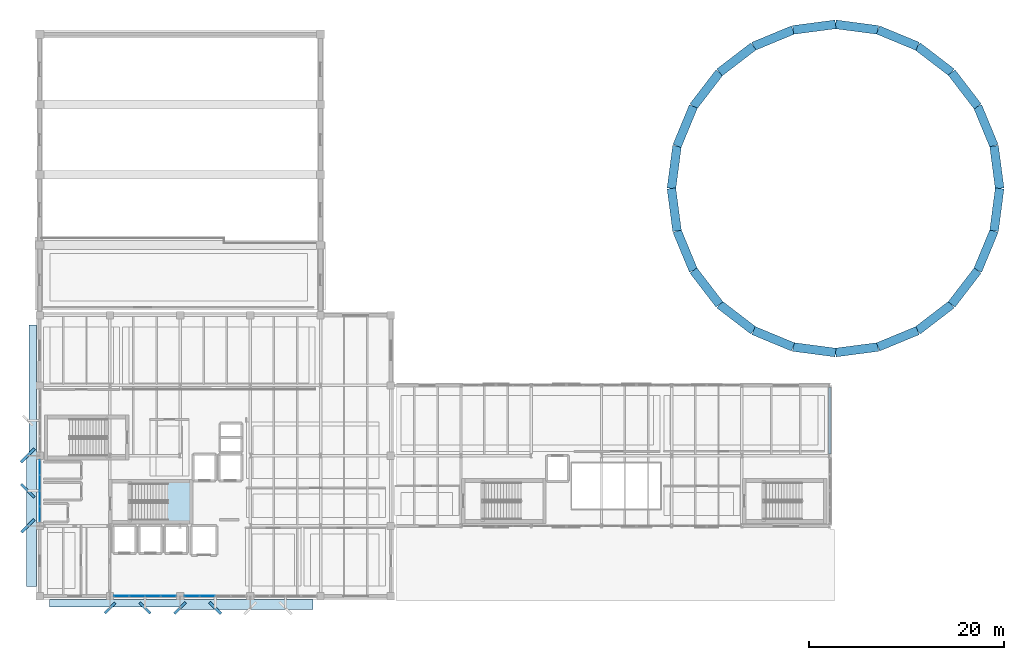
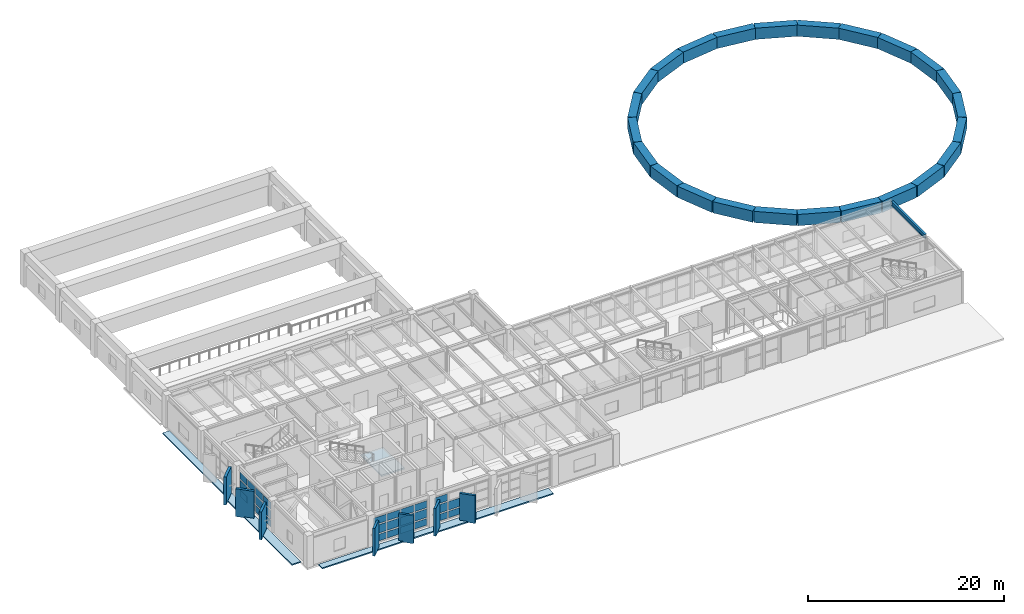
# One storey, part 22 of 37: 36 plates, 25 beams, 3 slabs, 4 elements without a shape of their own.
"""IFC4 building model written with IfcOpenShell, lengths in metres."""

from ifc_helpers import new_model, si_unit, direction, frame, origin, origin_2d, place, context, subcontext, project, spatial, polyline, rectangle, i_section, outline, extrude, material, layer, layer_set, material_profile, profile_set, type_object, element, aggregate, save


model = new_model("IFC4")

# Units and contexts
model_context = context("Model", 3, precision=1e-05, world=origin(), true_north=direction((0.0, 1.0)))
body_context = subcontext(model_context, "Body", "Model", "MODEL_VIEW")
ifc_project = project(units=[si_unit("LENGTHUNIT", "METRE"), si_unit("AREAUNIT", "SQUARE_METRE"), si_unit("VOLUMEUNIT", "CUBIC_METRE"), si_unit("PLANEANGLEUNIT", "RADIAN"), si_unit("MASSUNIT", "GRAM", prefix="KILO")], contexts=[model_context])

# Site, building, storey
site_placement = place(None, origin())
site = spatial("IfcSite", under=ifc_project, at=site_placement, CompositionType="ELEMENT")
building_placement = place(site_placement, origin())
building = spatial("IfcBuilding", under=site, at=building_placement, Name="Kandorven Conservatory and Botanical Research Centre", CompositionType="ELEMENT")
storey_placement = place(building_placement, frame((0.0, 0.0, 9.0)))
storey = spatial("IfcBuildingStorey", under=building, at=storey_placement, Name="L02", CompositionType="ELEMENT", Elevation=9.0)

# Beams
ifc_material_1 = material(Name="Steel S355 (IS 2062 E350)", Category="steel")
ifc_material_profile_1 = material_profile(ifc_material_1, i_section(OverallWidth=0.25, OverallDepth=0.5, WebThickness=0.010009765625, FlangeThickness=0.0146484375, at=origin_2d()))
ifc_profile_set_1 = profile_set([ifc_material_profile_1], Name="Steel S355 (IS 2062 E350)")
beam_type_1 = type_object("IfcBeamType", Name="Beam_FG-02", PredefinedType="USERDEFINED", material=ifc_profile_set_1)
beam_1_placement = place(storey_placement, frame((87.0, 20.590087890625, 3.7099609375), z_axis=(0.0, 1.0, 0.0), x_axis=(-1.0, 0.0, 0.0)))
element("IfcBeam", 1, at=beam_1_placement, inside=storey, type_object=beam_type_1, Name="Primary girder FG-02 VIS L02", ObjectType="GIRDER", PredefinedType="USERDEFINED", context=body_context, shape_type="SweptSolid", body=[
    extrude(i_section(OverallWidth=0.25, OverallDepth=0.5, WebThickness=0.010009765625, FlangeThickness=0.0146484375, at=origin_2d()), origin(), (0.0, 0.0, 1.0), 6.81982421875),
])
ifc_material_2 = material(Name="Concrete C40/50 (M50)", Category="concrete")
ifc_material_profile_2 = material_profile(ifc_material_2, rectangle(XDim=0.89990234375, YDim=1.39990234375, at=origin_2d()))
ifc_profile_set_2 = profile_set([ifc_material_profile_2], Name="Concrete C40/50 (M50)")
beam_type_2 = type_object("IfcBeamType", Name="Beam_RB-01", PredefinedType="SPANDREL", material=ifc_profile_set_2)
beam_2_placement = place(storey_placement, frame((104.425048828125, 47.800048828125, 1.10009765625), z_axis=(-0.130517780591, 0.991445968749, 0.0), x_axis=(-0.991445968749, -0.130517780591, 0.0)))
element("IfcBeam", 2, at=beam_2_placement, inside=storey, type_object=beam_type_2, Name="Conservatory Ring Beam RB-01 segment 01", PredefinedType="SPANDREL", context=body_context, shape_type="SweptSolid", body=[
    extrude(rectangle(XDim=0.89990234375, YDim=1.39990234375, at=origin_2d()), origin(), (0.0, 0.0, 1.0), 4.39208984375),
])
for number, where, z_axis, x_axis, name in (
    (3, (103.851806640625, 52.154541015625, 1.10009765625), (-0.382700340551, 0.92387252873, 0.0), (-0.92387252873, -0.382700340551, 0.0), "Conservatory Ring Beam RB-01 segment 02"),
    (4, (102.1708984375, 56.21240234375, 1.10009765625), (-0.608759396381, 0.793354899977, 0.0), (-0.793354899977, -0.608759396381, 0.0), "Conservatory Ring Beam RB-01 segment 03"),
    (5, (99.4970703125, 59.697021484375, 1.10009765625), (-0.793354899977, 0.608759396381, 0.0), (-0.608759396381, -0.793354899977, 0.0), "Conservatory Ring Beam RB-01 segment 04"),
    (6, (96.012451171875, 62.370849609375, 1.10009765625), (-0.92387252873, 0.382700340551, 0.0), (-0.382700340551, -0.92387252873, 0.0), "Conservatory Ring Beam RB-01 segment 05"),
):
    element("IfcBeam", number, at=place(storey_placement, frame(where, z_axis=z_axis, x_axis=x_axis)), inside=storey, type_object=beam_type_2, Name=name, PredefinedType="SPANDREL", context=body_context, shape_type="SweptSolid", body=[
        extrude(rectangle(XDim=0.89990234375, YDim=1.39990234375, at=origin_2d()), origin(), (0.0, 0.0, 1.0), 4.392333984375),
    ])
beam_3_placement = place(storey_placement, frame((91.95458984375, 64.0517578125, 1.10009765625), z_axis=(-0.991445968749, 0.130517780591, 0.0), x_axis=(-0.130517780591, -0.991445968749, 0.0)))
element("IfcBeam", 7, at=beam_3_placement, inside=storey, type_object=beam_type_2, Name="Conservatory Ring Beam RB-01 segment 06", PredefinedType="SPANDREL", context=body_context, shape_type="SweptSolid", body=[
    extrude(rectangle(XDim=0.89990234375, YDim=1.39990234375, at=origin_2d()), origin(), (0.0, 0.0, 1.0), 4.39208984375),
])
for number, where, z_axis, x_axis, name in (
    (8, (87.60009765625, 64.625, 1.10009765625), (-0.991446915586, -0.13051058798, 0.0), (0.13051058798, -0.991446915586, 0.0), "Conservatory Ring Beam RB-01 segment 07"),
    (9, (83.245361328125, 64.0517578125, 1.10009765625), (-0.92387252873, -0.382700340551, 0.0), (0.382700340551, -0.92387252873, 0.0), "Conservatory Ring Beam RB-01 segment 08"),
    (10, (79.1875, 62.370849609375, 1.10009765625), (-0.793354899977, -0.608759396381, 0.0), (0.608759396381, -0.793354899977, 0.0), "Conservatory Ring Beam RB-01 segment 09"),
    (11, (75.702880859375, 59.697021484375, 1.10009765625), (-0.608759396381, -0.793354899977, 0.0), (0.793354899977, -0.608759396381, 0.0), "Conservatory Ring Beam RB-01 segment 10"),
):
    element("IfcBeam", number, at=place(storey_placement, frame(where, z_axis=z_axis, x_axis=x_axis)), inside=storey, type_object=beam_type_2, Name=name, PredefinedType="SPANDREL", context=body_context, shape_type="SweptSolid", body=[
        extrude(rectangle(XDim=0.89990234375, YDim=1.39990234375, at=origin_2d()), origin(), (0.0, 0.0, 1.0), 4.392333984375),
    ])
for number, where, z_axis, x_axis, name in (
    (12, (73.029052734375, 56.21240234375, 1.10009765625), (-0.382652895287, -0.923892180792, 0.0), (0.923892180792, -0.382652895287, 0.0), "Conservatory Ring Beam RB-01 segment 11"),
    (13, (71.348388671875, 52.154541015625, 1.10009765625), (-0.130572419871, -0.991438774292, 0.0), (0.991438774292, -0.130572419871, 0.0), "Conservatory Ring Beam RB-01 segment 12"),
):
    element("IfcBeam", number, at=place(storey_placement, frame(where, z_axis=z_axis, x_axis=x_axis)), inside=storey, type_object=beam_type_2, Name=name, PredefinedType="SPANDREL", context=body_context, shape_type="SweptSolid", body=[
        extrude(rectangle(XDim=0.89990234375, YDim=1.39990234375, at=origin_2d()), origin(), (0.0, 0.0, 1.0), 4.39208984375),
    ])
beam_4_placement = place(storey_placement, frame((70.77490234375, 47.800048828125, 1.10009765625), z_axis=(0.130565224353, -0.991439721914, 0.0), x_axis=(0.991439721914, 0.130565224353, 0.0)))
element("IfcBeam", 14, at=beam_4_placement, inside=storey, type_object=beam_type_2, Name="Conservatory Ring Beam RB-01 segment 13", PredefinedType="SPANDREL", context=body_context, shape_type="SweptSolid", body=[
    extrude(rectangle(XDim=0.89990234375, YDim=1.39990234375, at=origin_2d()), origin(), (0.0, 0.0, 1.0), 4.392333984375),
])
beam_5_placement = place(storey_placement, frame((71.348388671875, 43.4453125, 1.10009765625), z_axis=(0.382652895287, -0.923892180792, 0.0), x_axis=(0.923892180792, 0.382652895287, 0.0)))
element("IfcBeam", 15, at=beam_5_placement, inside=storey, type_object=beam_type_2, Name="Conservatory Ring Beam RB-01 segment 14", PredefinedType="SPANDREL", context=body_context, shape_type="SweptSolid", body=[
    extrude(rectangle(XDim=0.89990234375, YDim=1.39990234375, at=origin_2d()), origin(), (0.0, 0.0, 1.0), 4.39208984375),
])
for number, where, z_axis, x_axis, name in (
    (16, (73.029052734375, 39.387451171875, 1.10009765625), (0.608759396381, -0.793354899977, 0.0), (0.793354899977, 0.608759396381, 0.0), "Conservatory Ring Beam RB-01 segment 15"),
    (17, (75.702880859375, 35.90283203125, 1.10009765625), (0.793354899977, -0.608759396381, 0.0), (0.608759396381, 0.793354899977, 0.0), "Conservatory Ring Beam RB-01 segment 16"),
):
    element("IfcBeam", number, at=place(storey_placement, frame(where, z_axis=z_axis, x_axis=x_axis)), inside=storey, type_object=beam_type_2, Name=name, PredefinedType="SPANDREL", context=body_context, shape_type="SweptSolid", body=[
        extrude(rectangle(XDim=0.89990234375, YDim=1.39990234375, at=origin_2d()), origin(), (0.0, 0.0, 1.0), 4.392333984375),
    ])
beam_6_placement = place(storey_placement, frame((79.1875, 33.22900390625, 1.10009765625), z_axis=(0.923892180792, -0.382652895287, 0.0), x_axis=(0.382652895287, 0.923892180792, 0.0)))
element("IfcBeam", 18, at=beam_6_placement, inside=storey, type_object=beam_type_2, Name="Conservatory Ring Beam RB-01 segment 17", PredefinedType="SPANDREL", context=body_context, shape_type="SweptSolid", body=[
    extrude(rectangle(XDim=0.89990234375, YDim=1.39990234375, at=origin_2d()), origin(), (0.0, 0.0, 1.0), 4.39208984375),
])
beam_7_placement = place(storey_placement, frame((83.245361328125, 31.54833984375, 1.10009765625), z_axis=(0.991446915586, -0.13051058798, 0.0), x_axis=(0.13051058798, 0.991446915586, 0.0)))
element("IfcBeam", 19, at=beam_7_placement, inside=storey, type_object=beam_type_2, Name="Conservatory Ring Beam RB-01 segment 18", PredefinedType="SPANDREL", context=body_context, shape_type="SweptSolid", body=[
    extrude(rectangle(XDim=0.89990234375, YDim=1.39990234375, at=origin_2d()), origin(), (0.0, 0.0, 1.0), 4.392333984375),
])
for number, where, z_axis, x_axis, name in (
    (20, (87.60009765625, 30.97509765625, 1.10009765625), (0.991445968749, 0.130517780591, 0.0), (-0.130517780591, 0.991445968749, 0.0), "Conservatory Ring Beam RB-01 segment 19"),
    (21, (91.95458984375, 31.54833984375, 1.10009765625), (0.923892180792, 0.382652895287, 0.0), (-0.382652895287, 0.923892180792, 0.0), "Conservatory Ring Beam RB-01 segment 20"),
):
    element("IfcBeam", number, at=place(storey_placement, frame(where, z_axis=z_axis, x_axis=x_axis)), inside=storey, type_object=beam_type_2, Name=name, PredefinedType="SPANDREL", context=body_context, shape_type="SweptSolid", body=[
        extrude(rectangle(XDim=0.89990234375, YDim=1.39990234375, at=origin_2d()), origin(), (0.0, 0.0, 1.0), 4.39208984375),
    ])
for number, where, z_axis, x_axis, name in (
    (22, (96.012451171875, 33.22900390625, 1.10009765625), (0.793354899977, 0.608759396381, 0.0), (-0.608759396381, 0.793354899977, 0.0), "Conservatory Ring Beam RB-01 segment 21"),
    (23, (99.4970703125, 35.90283203125, 1.10009765625), (0.608759396381, 0.793354899977, 0.0), (-0.793354899977, 0.608759396381, 0.0), "Conservatory Ring Beam RB-01 segment 22"),
    (24, (102.1708984375, 39.387451171875, 1.10009765625), (0.382700340551, 0.92387252873, 0.0), (-0.92387252873, 0.382700340551, 0.0), "Conservatory Ring Beam RB-01 segment 23"),
    (25, (103.851806640625, 43.4453125, 1.10009765625), (0.13051058798, 0.991446915586, 0.0), (-0.991446915586, 0.13051058798, 0.0), "Conservatory Ring Beam RB-01 segment 24"),
):
    element("IfcBeam", number, at=place(storey_placement, frame(where, z_axis=z_axis, x_axis=x_axis)), inside=storey, type_object=beam_type_2, Name=name, PredefinedType="SPANDREL", context=body_context, shape_type="SweptSolid", body=[
        extrude(rectangle(XDim=0.89990234375, YDim=1.39990234375, at=origin_2d()), origin(), (0.0, 0.0, 1.0), 4.392333984375),
    ])

# Curtain wall, plates
ifc_material_3 = material(Name="Bronze anodised thermally broken aluminium", Category="aluminium")
ifc_layer_1 = layer(ifc_material_3, 0.179931640625)
ifc_layer_set_1 = layer_set([ifc_layer_1], Name="Bronze anodised thermally broken aluminium")
curtain_wall_type = type_object("IfcCurtainWallType", Name="CW_Unitised", PredefinedType="USERDEFINED", material=ifc_layer_set_1)
curtain_wall_1_placement = place(storey_placement, origin())
curtain_wall_1 = element("IfcCurtainWall", 26, at=curtain_wall_1_placement, inside=storey, type_object=curtain_wall_type, Name="Tower laboratory curtain wall CW-TWR-S-L02-2", ObjectType="UNITISED GLAZING", PredefinedType="USERDEFINED")
ifc_material_4 = material(Name="Double-glazed solar-control low-E glass", Category="glass")
ifc_layer_2 = layer(ifc_material_4, 0.028076171875)
ifc_layer_set_2 = layer_set([ifc_layer_2], Name="Double-glazed solar-control low-E glass")
plate_type_1 = type_object("IfcPlateType", Name="CW_Panel", PredefinedType="CURTAIN_PANEL", material=ifc_layer_set_2)
plate_1_placement = place(storey_placement, frame((14.4013671875, 6.0, 0.14990234375), z_axis=(0.0, 0.0, 1.0), x_axis=(1.0, 0.0, 0.0)))
plate_1 = element("IfcPlate", 27, at=plate_1_placement, type_object=plate_type_1, Name="CW-01 panel 1.1", PredefinedType="CURTAIN_PANEL", context=body_context, shape_type="SweptSolid", body=[
    extrude(rectangle(XDim=1.492431640625, YDim=0.028076171875, at=origin_2d()), origin(), (0.0, 0.0, 1.0), 0.824951171875),
])
plate_2_placement = place(storey_placement, frame((14.4013671875, 6.0, 1.125), z_axis=(0.0, 0.0, 1.0), x_axis=(1.0, 0.0, 0.0)))
plate_2 = element("IfcPlate", 28, at=plate_2_placement, type_object=plate_type_1, Name="CW-01 panel 1.2", PredefinedType="CURTAIN_PANEL", context=body_context, shape_type="SweptSolid", body=[
    extrude(rectangle(XDim=1.492431640625, YDim=0.028076171875, at=origin_2d()), origin(), (0.0, 0.0, 1.0), 1.050048828125),
])
plate_3_placement = place(storey_placement, frame((14.4013671875, 6.0, 2.3251953125), z_axis=(0.0, 0.0, 1.0), x_axis=(1.0, 0.0, 0.0)))
plate_3 = element("IfcPlate", 29, at=plate_3_placement, type_object=plate_type_1, Name="CW-01 panel 1.3", PredefinedType="CURTAIN_PANEL", context=body_context, shape_type="SweptSolid", body=[
    extrude(rectangle(XDim=1.492431640625, YDim=0.028076171875, at=origin_2d()), origin(), (0.0, 0.0, 1.0), 0.864990234375),
])
plate_4_placement = place(storey_placement, frame((15.99365234375, 6.0, 0.14990234375), z_axis=(0.0, 0.0, 1.0), x_axis=(1.0, 0.0, 0.0)))
plate_4 = element("IfcPlate", 30, at=plate_4_placement, type_object=plate_type_1, Name="CW-01 panel 2.1", PredefinedType="CURTAIN_PANEL", context=body_context, shape_type="SweptSolid", body=[
    extrude(rectangle(XDim=1.532470703125, YDim=0.028076171875, at=origin_2d()), origin(), (0.0, 0.0, 1.0), 0.824951171875),
])
plate_5_placement = place(storey_placement, frame((15.99365234375, 6.0, 1.125), z_axis=(0.0, 0.0, 1.0), x_axis=(1.0, 0.0, 0.0)))
plate_5 = element("IfcPlate", 31, at=plate_5_placement, type_object=plate_type_1, Name="CW-01 panel 2.2", PredefinedType="CURTAIN_PANEL", context=body_context, shape_type="SweptSolid", body=[
    extrude(rectangle(XDim=1.532470703125, YDim=0.028076171875, at=origin_2d()), origin(), (0.0, 0.0, 1.0), 1.050048828125),
])
plate_6_placement = place(storey_placement, frame((15.99365234375, 6.0, 2.3251953125), z_axis=(0.0, 0.0, 1.0), x_axis=(1.0, 0.0, 0.0)))
plate_6 = element("IfcPlate", 32, at=plate_6_placement, type_object=plate_type_1, Name="CW-01 panel 2.3", PredefinedType="CURTAIN_PANEL", context=body_context, shape_type="SweptSolid", body=[
    extrude(rectangle(XDim=1.532470703125, YDim=0.028076171875, at=origin_2d()), origin(), (0.0, 0.0, 1.0), 0.864990234375),
])
plate_7_placement = place(storey_placement, frame((17.606201171875, 6.0, 0.14990234375), z_axis=(0.0, 0.0, 1.0), x_axis=(1.0, 0.0, 0.0)))
plate_7 = element("IfcPlate", 33, at=plate_7_placement, type_object=plate_type_1, Name="CW-01 panel 3.1", PredefinedType="CURTAIN_PANEL", context=body_context, shape_type="SweptSolid", body=[
    extrude(rectangle(XDim=1.532470703125, YDim=0.028076171875, at=origin_2d()), origin(), (0.0, 0.0, 1.0), 0.824951171875),
])
plate_8_placement = place(storey_placement, frame((17.606201171875, 6.0, 1.125), z_axis=(0.0, 0.0, 1.0), x_axis=(1.0, 0.0, 0.0)))
plate_8 = element("IfcPlate", 34, at=plate_8_placement, type_object=plate_type_1, Name="CW-01 panel 3.2", PredefinedType="CURTAIN_PANEL", context=body_context, shape_type="SweptSolid", body=[
    extrude(rectangle(XDim=1.532470703125, YDim=0.028076171875, at=origin_2d()), origin(), (0.0, 0.0, 1.0), 1.050048828125),
])
plate_9_placement = place(storey_placement, frame((17.606201171875, 6.0, 2.3251953125), z_axis=(0.0, 0.0, 1.0), x_axis=(1.0, 0.0, 0.0)))
plate_9 = element("IfcPlate", 35, at=plate_9_placement, type_object=plate_type_1, Name="CW-01 panel 3.3", PredefinedType="CURTAIN_PANEL", context=body_context, shape_type="SweptSolid", body=[
    extrude(rectangle(XDim=1.532470703125, YDim=0.028076171875, at=origin_2d()), origin(), (0.0, 0.0, 1.0), 0.864990234375),
])
plate_10_placement = place(storey_placement, frame((19.19873046875, 6.0, 0.14990234375), z_axis=(0.0, 0.0, 1.0), x_axis=(1.0, 0.0, 0.0)))
plate_10 = element("IfcPlate", 36, at=plate_10_placement, type_object=plate_type_1, Name="CW-01 panel 4.1", PredefinedType="CURTAIN_PANEL", context=body_context, shape_type="SweptSolid", body=[
    extrude(rectangle(XDim=1.492431640625, YDim=0.028076171875, at=origin_2d()), origin(), (0.0, 0.0, 1.0), 0.824951171875),
])
plate_11_placement = place(storey_placement, frame((19.19873046875, 6.0, 1.125), z_axis=(0.0, 0.0, 1.0), x_axis=(1.0, 0.0, 0.0)))
plate_11 = element("IfcPlate", 37, at=plate_11_placement, type_object=plate_type_1, Name="CW-01 panel 4.2", PredefinedType="CURTAIN_PANEL", context=body_context, shape_type="SweptSolid", body=[
    extrude(rectangle(XDim=1.492431640625, YDim=0.028076171875, at=origin_2d()), origin(), (0.0, 0.0, 1.0), 1.050048828125),
])
plate_12_placement = place(storey_placement, frame((19.19873046875, 6.0, 2.3251953125), z_axis=(0.0, 0.0, 1.0), x_axis=(1.0, 0.0, 0.0)))
plate_12 = element("IfcPlate", 38, at=plate_12_placement, type_object=plate_type_1, Name="CW-01 panel 4.3", PredefinedType="CURTAIN_PANEL", context=body_context, shape_type="SweptSolid", body=[
    extrude(rectangle(XDim=1.492431640625, YDim=0.028076171875, at=origin_2d()), origin(), (0.0, 0.0, 1.0), 0.864990234375),
])
aggregate(curtain_wall_1, [plate_1, plate_2, plate_3, plate_4, plate_5, plate_6, plate_7, plate_8, plate_9, plate_10, plate_11, plate_12])

curtain_wall_2_placement = place(storey_placement, origin())
curtain_wall_2 = element("IfcCurtainWall", 39, at=curtain_wall_2_placement, inside=storey, type_object=curtain_wall_type, Name="Tower laboratory curtain wall CW-TWR-S-L02-3", ObjectType="UNITISED GLAZING", PredefinedType="USERDEFINED")
plate_13_placement = place(storey_placement, frame((21.601318359375, 6.0, 0.14990234375), z_axis=(0.0, 0.0, 1.0), x_axis=(1.0, 0.0, 0.0)))
plate_13 = element("IfcPlate", 40, at=plate_13_placement, type_object=plate_type_1, Name="CW-01 panel 1.1", PredefinedType="CURTAIN_PANEL", context=body_context, shape_type="SweptSolid", body=[
    extrude(rectangle(XDim=1.492431640625, YDim=0.028076171875, at=origin_2d()), origin(), (0.0, 0.0, 1.0), 0.824951171875),
])
plate_14_placement = place(storey_placement, frame((21.601318359375, 6.0, 1.125), z_axis=(0.0, 0.0, 1.0), x_axis=(1.0, 0.0, 0.0)))
plate_14 = element("IfcPlate", 41, at=plate_14_placement, type_object=plate_type_1, Name="CW-01 panel 1.2", PredefinedType="CURTAIN_PANEL", context=body_context, shape_type="SweptSolid", body=[
    extrude(rectangle(XDim=1.492431640625, YDim=0.028076171875, at=origin_2d()), origin(), (0.0, 0.0, 1.0), 1.050048828125),
])
plate_15_placement = place(storey_placement, frame((21.601318359375, 6.0, 2.3251953125), z_axis=(0.0, 0.0, 1.0), x_axis=(1.0, 0.0, 0.0)))
plate_15 = element("IfcPlate", 42, at=plate_15_placement, type_object=plate_type_1, Name="CW-01 panel 1.3", PredefinedType="CURTAIN_PANEL", context=body_context, shape_type="SweptSolid", body=[
    extrude(rectangle(XDim=1.492431640625, YDim=0.028076171875, at=origin_2d()), origin(), (0.0, 0.0, 1.0), 0.864990234375),
])
plate_16_placement = place(storey_placement, frame((23.19384765625, 6.0, 0.14990234375), z_axis=(0.0, 0.0, 1.0), x_axis=(1.0, 0.0, 0.0)))
plate_16 = element("IfcPlate", 43, at=plate_16_placement, type_object=plate_type_1, Name="CW-01 panel 2.1", PredefinedType="CURTAIN_PANEL", context=body_context, shape_type="SweptSolid", body=[
    extrude(rectangle(XDim=1.532470703125, YDim=0.028076171875, at=origin_2d()), origin(), (0.0, 0.0, 1.0), 0.824951171875),
])
plate_17_placement = place(storey_placement, frame((23.19384765625, 6.0, 1.125), z_axis=(0.0, 0.0, 1.0), x_axis=(1.0, 0.0, 0.0)))
plate_17 = element("IfcPlate", 44, at=plate_17_placement, type_object=plate_type_1, Name="CW-01 panel 2.2", PredefinedType="CURTAIN_PANEL", context=body_context, shape_type="SweptSolid", body=[
    extrude(rectangle(XDim=1.532470703125, YDim=0.028076171875, at=origin_2d()), origin(), (0.0, 0.0, 1.0), 1.050048828125),
])
aggregate(curtain_wall_2, [plate_13, plate_14, plate_15, plate_16, plate_17])

curtain_wall_3_placement = place(storey_placement, origin())
curtain_wall_3 = element("IfcCurtainWall", 45, at=curtain_wall_3_placement, inside=storey, type_object=curtain_wall_type, Name="Tower laboratory curtain wall CW-TWR-W-L02-2", ObjectType="UNITISED GLAZING", PredefinedType="USERDEFINED")
plate_18_placement = place(storey_placement, frame((6.0, 14.4013671875, 0.14990234375), z_axis=(0.0, 0.0, 1.0), x_axis=(0.0, 1.0, 0.0)))
plate_18 = element("IfcPlate", 46, at=plate_18_placement, type_object=plate_type_1, Name="CW-01 panel 1.1", PredefinedType="CURTAIN_PANEL", context=body_context, shape_type="SweptSolid", body=[
    extrude(rectangle(XDim=1.492431640625, YDim=0.028076171875, at=origin_2d()), origin(), (0.0, 0.0, 1.0), 0.824951171875),
])
plate_19_placement = place(storey_placement, frame((6.0, 14.4013671875, 1.125), z_axis=(0.0, 0.0, 1.0), x_axis=(0.0, 1.0, 0.0)))
plate_19 = element("IfcPlate", 47, at=plate_19_placement, type_object=plate_type_1, Name="CW-01 panel 1.2", PredefinedType="CURTAIN_PANEL", context=body_context, shape_type="SweptSolid", body=[
    extrude(rectangle(XDim=1.492431640625, YDim=0.028076171875, at=origin_2d()), origin(), (0.0, 0.0, 1.0), 1.050048828125),
])
plate_20_placement = place(storey_placement, frame((6.0, 14.4013671875, 2.3251953125), z_axis=(0.0, 0.0, 1.0), x_axis=(0.0, 1.0, 0.0)))
plate_20 = element("IfcPlate", 48, at=plate_20_placement, type_object=plate_type_1, Name="CW-01 panel 1.3", PredefinedType="CURTAIN_PANEL", context=body_context, shape_type="SweptSolid", body=[
    extrude(rectangle(XDim=1.492431640625, YDim=0.028076171875, at=origin_2d()), origin(), (0.0, 0.0, 1.0), 0.864990234375),
])
plate_21_placement = place(storey_placement, frame((6.0, 15.99365234375, 0.14990234375), z_axis=(0.0, 0.0, 1.0), x_axis=(0.0, 1.0, 0.0)))
plate_21 = element("IfcPlate", 49, at=plate_21_placement, type_object=plate_type_1, Name="CW-01 panel 2.1", PredefinedType="CURTAIN_PANEL", context=body_context, shape_type="SweptSolid", body=[
    extrude(rectangle(XDim=1.532470703125, YDim=0.028076171875, at=origin_2d()), origin(), (0.0, 0.0, 1.0), 0.824951171875),
])
plate_22_placement = place(storey_placement, frame((6.0, 15.99365234375, 1.125), z_axis=(0.0, 0.0, 1.0), x_axis=(0.0, 1.0, 0.0)))
plate_22 = element("IfcPlate", 50, at=plate_22_placement, type_object=plate_type_1, Name="CW-01 panel 2.2", PredefinedType="CURTAIN_PANEL", context=body_context, shape_type="SweptSolid", body=[
    extrude(rectangle(XDim=1.532470703125, YDim=0.028076171875, at=origin_2d()), origin(), (0.0, 0.0, 1.0), 1.050048828125),
])
plate_23_placement = place(storey_placement, frame((6.0, 15.99365234375, 2.3251953125), z_axis=(0.0, 0.0, 1.0), x_axis=(0.0, 1.0, 0.0)))
plate_23 = element("IfcPlate", 51, at=plate_23_placement, type_object=plate_type_1, Name="CW-01 panel 2.3", PredefinedType="CURTAIN_PANEL", context=body_context, shape_type="SweptSolid", body=[
    extrude(rectangle(XDim=1.532470703125, YDim=0.028076171875, at=origin_2d()), origin(), (0.0, 0.0, 1.0), 0.864990234375),
])
plate_24_placement = place(storey_placement, frame((6.0, 17.606201171875, 0.14990234375), z_axis=(0.0, 0.0, 1.0), x_axis=(0.0, 1.0, 0.0)))
plate_24 = element("IfcPlate", 52, at=plate_24_placement, type_object=plate_type_1, Name="CW-01 panel 3.1", PredefinedType="CURTAIN_PANEL", context=body_context, shape_type="SweptSolid", body=[
    extrude(rectangle(XDim=1.532470703125, YDim=0.028076171875, at=origin_2d()), origin(), (0.0, 0.0, 1.0), 0.824951171875),
])
plate_25_placement = place(storey_placement, frame((6.0, 17.606201171875, 1.125), z_axis=(0.0, 0.0, 1.0), x_axis=(0.0, 1.0, 0.0)))
plate_25 = element("IfcPlate", 53, at=plate_25_placement, type_object=plate_type_1, Name="CW-01 panel 3.2", PredefinedType="CURTAIN_PANEL", context=body_context, shape_type="SweptSolid", body=[
    extrude(rectangle(XDim=1.532470703125, YDim=0.028076171875, at=origin_2d()), origin(), (0.0, 0.0, 1.0), 1.050048828125),
])
plate_26_placement = place(storey_placement, frame((6.0, 17.606201171875, 2.3251953125), z_axis=(0.0, 0.0, 1.0), x_axis=(0.0, 1.0, 0.0)))
plate_26 = element("IfcPlate", 54, at=plate_26_placement, type_object=plate_type_1, Name="CW-01 panel 3.3", PredefinedType="CURTAIN_PANEL", context=body_context, shape_type="SweptSolid", body=[
    extrude(rectangle(XDim=1.532470703125, YDim=0.028076171875, at=origin_2d()), origin(), (0.0, 0.0, 1.0), 0.864990234375),
])
plate_27_placement = place(storey_placement, frame((6.0, 19.19873046875, 0.14990234375), z_axis=(0.0, 0.0, 1.0), x_axis=(0.0, 1.0, 0.0)))
plate_27 = element("IfcPlate", 55, at=plate_27_placement, type_object=plate_type_1, Name="CW-01 panel 4.1", PredefinedType="CURTAIN_PANEL", context=body_context, shape_type="SweptSolid", body=[
    extrude(rectangle(XDim=1.492431640625, YDim=0.028076171875, at=origin_2d()), origin(), (0.0, 0.0, 1.0), 0.824951171875),
])
plate_28_placement = place(storey_placement, frame((6.0, 19.19873046875, 1.125), z_axis=(0.0, 0.0, 1.0), x_axis=(0.0, 1.0, 0.0)))
plate_28 = element("IfcPlate", 56, at=plate_28_placement, type_object=plate_type_1, Name="CW-01 panel 4.2", PredefinedType="CURTAIN_PANEL", context=body_context, shape_type="SweptSolid", body=[
    extrude(rectangle(XDim=1.492431640625, YDim=0.028076171875, at=origin_2d()), origin(), (0.0, 0.0, 1.0), 1.050048828125),
])
plate_29_placement = place(storey_placement, frame((6.0, 19.19873046875, 2.3251953125), z_axis=(0.0, 0.0, 1.0), x_axis=(0.0, 1.0, 0.0)))
plate_29 = element("IfcPlate", 57, at=plate_29_placement, type_object=plate_type_1, Name="CW-01 panel 4.3", PredefinedType="CURTAIN_PANEL", context=body_context, shape_type="SweptSolid", body=[
    extrude(rectangle(XDim=1.492431640625, YDim=0.028076171875, at=origin_2d()), origin(), (0.0, 0.0, 1.0), 0.864990234375),
])
aggregate(curtain_wall_3, [plate_18, plate_19, plate_20, plate_21, plate_22, plate_23, plate_24, plate_25, plate_26, plate_27, plate_28, plate_29])

# Plates
ifc_material_5 = material(Name="Precast concrete C40/50 (M50)", Category="concrete")
ifc_layer_3 = layer(ifc_material_5, 0.248046875)
ifc_layer_set_3 = layer_set([ifc_layer_3], Name="Precast concrete C40/50 (M50)")
plate_type_2 = type_object("IfcPlateType", Name="Fin_BF-12", PredefinedType="USERDEFINED", material=ifc_layer_set_3)
plate_30_placement = place(storey_placement, frame((13.199951171875, 4.780029296875, -0.119873046875), z_axis=(0.0, 0.0, 1.0), x_axis=(0.707106781187, 0.707106781187, 0.0)))
element("IfcPlate", 58, at=plate_30_placement, inside=storey, type_object=plate_type_2, Name="Sculpted board-marked concrete brise-soleil fin BF-12", ObjectType="SOLAR FIN", PredefinedType="USERDEFINED", context=body_context, shape_type="SweptSolid", body=[
    extrude(rectangle(XDim=1.489990234375, YDim=0.248046875, at=origin_2d()), origin(), (0.0, 0.0, 1.0), 3.4599609375),
])
ifc_material_6 = material(Name="Precast concrete C40/50 (M50)", Category="concrete")
ifc_layer_4 = layer(ifc_material_6, 0.251953125)
ifc_layer_set_4 = layer_set([ifc_layer_4], Name="Precast concrete C40/50 (M50)")
plate_type_3 = type_object("IfcPlateType", Name="Fin_BF-13", PredefinedType="USERDEFINED", material=ifc_layer_set_4)
plate_31_placement = place(storey_placement, frame((16.800048828125, 4.780029296875, -0.119873046875), z_axis=(0.0, 0.0, 1.0), x_axis=(-0.707106781187, 0.707106781187, 0.0)))
element("IfcPlate", 59, at=plate_31_placement, inside=storey, type_object=plate_type_3, Name="Sculpted board-marked concrete brise-soleil fin BF-13", ObjectType="SOLAR FIN", PredefinedType="USERDEFINED", context=body_context, shape_type="SweptSolid", body=[
    extrude(rectangle(XDim=1.550048828125, YDim=0.251953125, at=origin_2d()), origin(), (0.0, 0.0, 1.0), 3.4599609375),
])
ifc_material_7 = material(Name="Precast concrete C40/50 (M50)", Category="concrete")
ifc_layer_5 = layer(ifc_material_7, 0.256103515625)
ifc_layer_set_5 = layer_set([ifc_layer_5], Name="Precast concrete C40/50 (M50)")
plate_type_4 = type_object("IfcPlateType", Name="Fin_BF-14", PredefinedType="USERDEFINED", material=ifc_layer_set_5)
plate_32_placement = place(storey_placement, frame((20.39990234375, 4.780029296875, -0.119873046875), z_axis=(0.0, 0.0, 1.0), x_axis=(0.707106781187, 0.707106781187, 0.0)))
element("IfcPlate", 60, at=plate_32_placement, inside=storey, type_object=plate_type_4, Name="Sculpted board-marked concrete brise-soleil fin BF-14", ObjectType="SOLAR FIN", PredefinedType="USERDEFINED", context=body_context, shape_type="SweptSolid", body=[
    extrude(rectangle(XDim=1.610107421875, YDim=0.256103515625, at=origin_2d()), origin(), (0.0, 0.0, 1.0), 3.4599609375),
])
ifc_material_8 = material(Name="Precast concrete C40/50 (M50)", Category="concrete")
ifc_layer_6 = layer(ifc_material_8, 0.261962890625)
ifc_layer_set_6 = layer_set([ifc_layer_6], Name="Precast concrete C40/50 (M50)")
plate_type_5 = type_object("IfcPlateType", Name="Fin_BF-15", PredefinedType="USERDEFINED", material=ifc_layer_set_6)
plate_33_placement = place(storey_placement, frame((24.0, 4.780029296875, -0.119873046875), z_axis=(0.0, 0.0, 1.0), x_axis=(-0.707106781187, 0.707106781187, 0.0)))
element("IfcPlate", 61, at=plate_33_placement, inside=storey, type_object=plate_type_5, Name="Sculpted board-marked concrete brise-soleil fin BF-15", ObjectType="SOLAR FIN", PredefinedType="USERDEFINED", context=body_context, shape_type="SweptSolid", body=[
    extrude(rectangle(XDim=1.669921875, YDim=0.261962890625, at=origin_2d()), origin(), (0.0, 0.0, 1.0), 3.4599609375),
])
ifc_material_9 = material(Name="Precast concrete C40/50 (M50)", Category="concrete")
ifc_layer_7 = layer(ifc_material_9, 0.27587890625)
ifc_layer_set_7 = layer_set([ifc_layer_7], Name="Precast concrete C40/50 (M50)")
plate_type_6 = type_object("IfcPlateType", Name="Fin_BF-18", PredefinedType="USERDEFINED", material=ifc_layer_set_7)
plate_34_placement = place(storey_placement, frame((4.780029296875, 13.199951171875, -0.119873046875), z_axis=(0.0, 0.0, 1.0), x_axis=(0.707106781187, 0.707106781187, 0.0)))
element("IfcPlate", 62, at=plate_34_placement, inside=storey, type_object=plate_type_6, Name="Sculpted board-marked concrete brise-soleil fin BF-18", ObjectType="SOLAR FIN", PredefinedType="USERDEFINED", context=body_context, shape_type="SweptSolid", body=[
    extrude(rectangle(XDim=1.85009765625, YDim=0.27587890625, at=origin_2d()), origin(), (0.0, 0.0, 1.0), 3.4599609375),
])
ifc_material_10 = material(Name="Precast concrete C40/50 (M50)", Category="concrete")
ifc_layer_8 = layer(ifc_material_10, 0.281982421875)
ifc_layer_set_8 = layer_set([ifc_layer_8], Name="Precast concrete C40/50 (M50)")
plate_type_7 = type_object("IfcPlateType", Name="Fin_BF-19", PredefinedType="USERDEFINED", material=ifc_layer_set_8)
plate_35_placement = place(storey_placement, frame((4.780029296875, 16.800048828125, -0.119873046875), z_axis=(0.0, 0.0, 1.0), x_axis=(-0.707106781187, 0.707106781187, 0.0)))
element("IfcPlate", 63, at=plate_35_placement, inside=storey, type_object=plate_type_7, Name="Sculpted board-marked concrete brise-soleil fin BF-19", ObjectType="SOLAR FIN", PredefinedType="USERDEFINED", context=body_context, shape_type="SweptSolid", body=[
    extrude(rectangle(XDim=1.909912109375, YDim=0.281982421875, at=origin_2d()), origin(), (0.0, 0.0, 1.0), 3.4599609375),
])
ifc_material_11 = material(Name="Precast concrete C40/50 (M50)", Category="concrete")
ifc_layer_9 = layer(ifc_material_11, 0.2880859375)
ifc_layer_set_9 = layer_set([ifc_layer_9], Name="Precast concrete C40/50 (M50)")
plate_type_8 = type_object("IfcPlateType", Name="Fin_BF-20", PredefinedType="USERDEFINED", material=ifc_layer_set_9)
plate_36_placement = place(storey_placement, frame((4.780029296875, 20.39990234375, -0.119873046875), z_axis=(0.0, 0.0, 1.0), x_axis=(0.707106781187, 0.707106781187, 0.0)))
element("IfcPlate", 64, at=plate_36_placement, inside=storey, type_object=plate_type_8, Name="Sculpted board-marked concrete brise-soleil fin BF-20", ObjectType="SOLAR FIN", PredefinedType="USERDEFINED", context=body_context, shape_type="SweptSolid", body=[
    extrude(rectangle(XDim=1.969970703125, YDim=0.2880859375, at=origin_2d()), origin(), (0.0, 0.0, 1.0), 3.4599609375),
])

# Slabs
ifc_material_12 = material(Name="Concrete C32/40 (M40)", Category="concrete")
ifc_layer_10 = layer(ifc_material_12, 0.14990234375)
ifc_layer_set_10 = layer_set([ifc_layer_10], Name="Concrete C32/40 (M40)")
slab_type_1 = type_object("IfcSlabType", Name="Slab_SL-15", PredefinedType="FLOOR", material=ifc_layer_set_10)
slab_1_placement = place(storey_placement, frame((0.0, 0.0, -0.14990234375)))
element("IfcSlab", 65, at=slab_1_placement, inside=storey, type_object=slab_type_1, Name="Tower south sculpted concrete solar-hood slab L02", PredefinedType="FLOOR", context=body_context, shape_type="SweptSolid", body=[
    extrude(outline(polyline([(7.0, 5.679931640625), (34.0, 5.679931640625), (34.0, 4.6298828125), (20.39990234375, 4.6298828125), (20.39990234375, 4.89990234375), (7.0, 4.89990234375), (7.0, 5.679931640625)])), origin(), (0.0, 0.0, 1.0), 0.14990234375),
])
slab_2_placement = place(storey_placement, frame((0.0, 0.0, -0.14990234375)))
element("IfcSlab", 66, at=slab_2_placement, inside=storey, type_object=slab_type_1, Name="Tower west sculpted concrete solar-hood slab L02", PredefinedType="FLOOR", context=body_context, shape_type="SweptSolid", body=[
    extrude(outline(polyline([(4.6298828125, 7.0), (5.679931640625, 7.0), (5.679931640625, 33.800048828125), (4.89990234375, 33.800048828125), (4.89990234375, 20.39990234375), (4.6298828125, 20.39990234375), (4.6298828125, 7.0)])), origin(), (0.0, 0.0, 1.0), 0.14990234375),
])

# Stair, slab
ifc_material_13 = material(Name="Concrete C32/40 (M40)", Category="concrete")
stair_type = type_object("IfcStairType", Name="Stair_1820", PredefinedType="HALF_TURN_STAIR", material=ifc_material_13)
stair_placement = place(storey_placement, origin())
stair = element("IfcStair", 67, at=stair_placement, inside=storey, type_object=stair_type, Name="L02 Tower Fire Stair ST-T1", PredefinedType="HALF_TURN_STAIR")
ifc_material_14 = material(Name="Concrete C32/40 (M40)", Category="concrete")
ifc_layer_11 = layer(ifc_material_14, 0.199951171875)
ifc_layer_set_11 = layer_set([ifc_layer_11], Name="Concrete C32/40 (M40)")
slab_type_2 = type_object("IfcSlabType", Name="StairLanding_200", PredefinedType="LANDING", material=ifc_layer_set_11)
slab_3_placement = place(storey_placement, frame((0.0, 0.0, 1.89990234375)))
slab_3 = element("IfcSlab", 68, at=slab_3_placement, type_object=slab_type_2, Name="ST-T1 landing 1", PredefinedType="LANDING", context=body_context, shape_type="SweptSolid", body=[
    extrude(outline(polyline([(18.95947265625, 13.5400390625), (21.6201171875, 13.5400390625), (21.6201171875, 17.81005859375), (18.95947265625, 17.81005859375), (18.95947265625, 13.5400390625)])), origin(), (0.0, 0.0, 1.0), 0.2001953125),
])
aggregate(stair, [slab_3])

save(model, "model.ifc")
